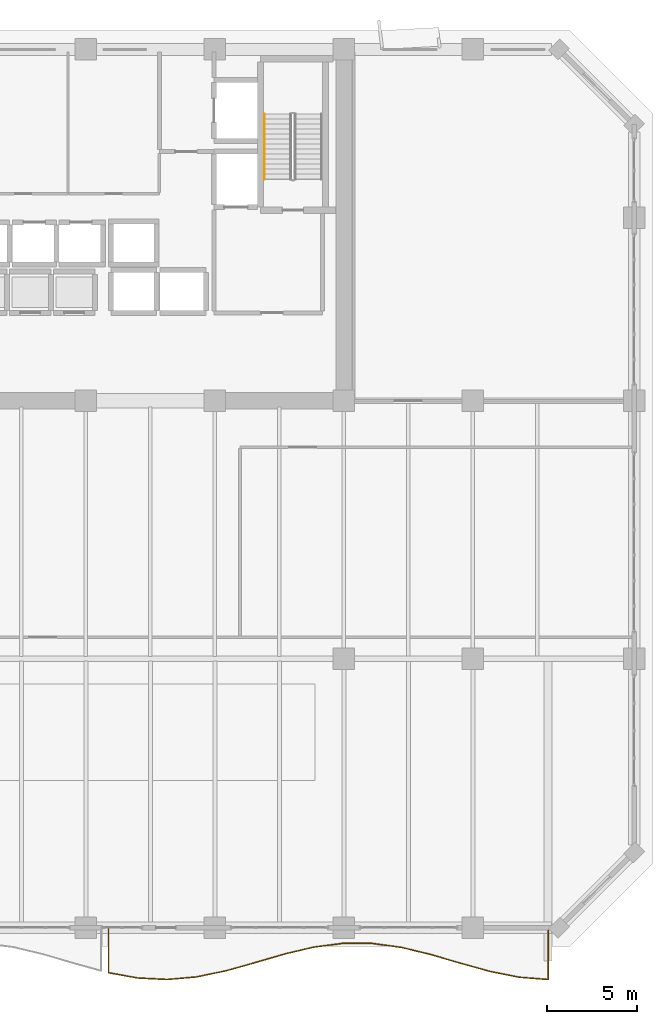
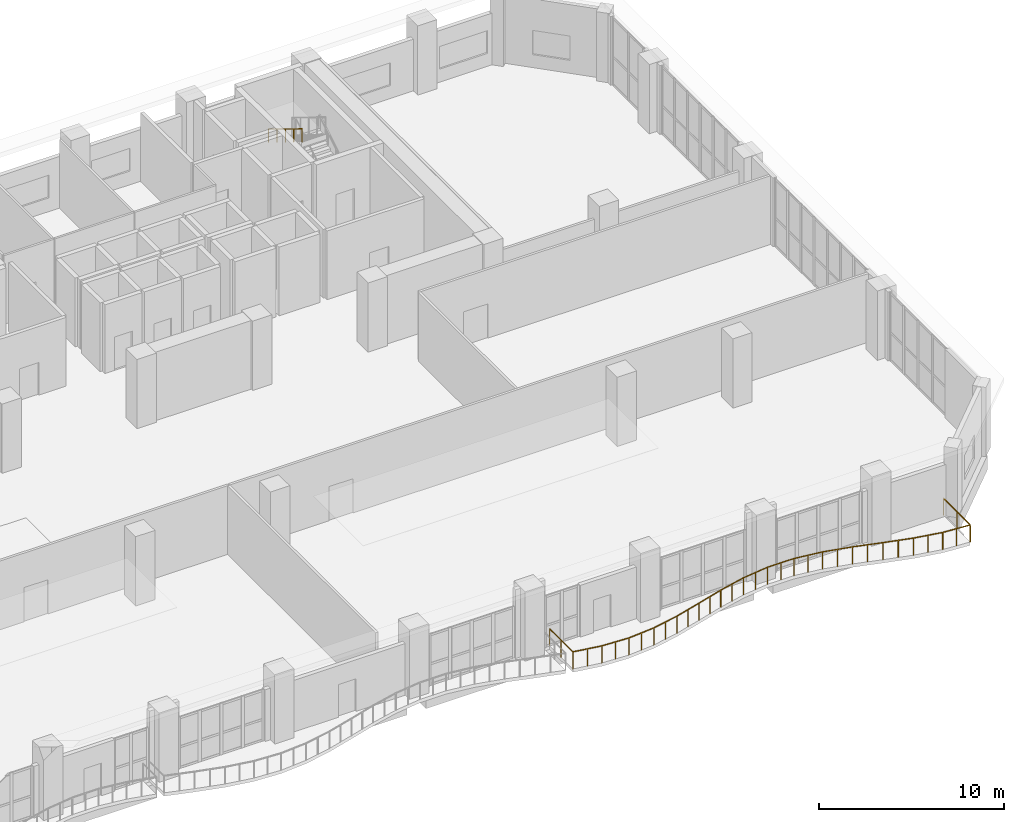
# One storey, part 35 of 37: 2 railings.
"""IFC4 building model written with IfcOpenShell, lengths in metres."""

from ifc_helpers import new_model, si_unit, direction, frame, origin, origin_2d, place, context, subcontext, project, spatial, rectangle, extrude, material, type_object, element, save


model = new_model("IFC4")

# Units and contexts
model_context = context("Model", 3, precision=1e-05, world=origin(), true_north=direction((0.0, 1.0)))
body_context = subcontext(model_context, "Body", "Model", "MODEL_VIEW")
ifc_project = project(units=[si_unit("LENGTHUNIT", "METRE"), si_unit("AREAUNIT", "SQUARE_METRE"), si_unit("VOLUMEUNIT", "CUBIC_METRE"), si_unit("PLANEANGLEUNIT", "RADIAN"), si_unit("MASSUNIT", "GRAM", prefix="KILO")], contexts=[model_context])

# Site, building, storey
site_placement = place(None, origin())
site = spatial("IfcSite", under=ifc_project, at=site_placement, CompositionType="ELEMENT")
building_placement = place(site_placement, origin())
building = spatial("IfcBuilding", under=site, at=building_placement, Name="Kaelvorn Grand Hotel", CompositionType="ELEMENT")
storey_placement = place(building_placement, frame((0.0, 0.0, 130.550048828125)))
storey = spatial("IfcBuildingStorey", under=building, at=storey_placement, Name="L31", CompositionType="ELEMENT", Elevation=130.550048828125)

# Railings
ifc_material = material(Name="Stainless Steel", Category="steel")
railing_type_1 = type_object("IfcRailingType", Name="RL-BALC-1150", PredefinedType="BALUSTRADE", material=ifc_material)
railing_1_placement = place(storey_placement, frame((54.666748046875, 0.0, 0.0)))
element("IfcRailing", 1, at=railing_1_placement, inside=storey, type_object=railing_type_1, Name="L31 Scalloped Wave Balcony Balustrade GR1-3", PredefinedType="BALUSTRADE", context=body_context, shape_type="SweptSolid", body=[
    extrude(rectangle(XDim=0.048095703125, YDim=0.048095703125, at=origin_2d()), frame((0.0, 0.0, 1.1259765625), z_axis=(0.0, -1.0, 0.0), x_axis=(1.0, 0.0, 0.0)), (0.0, 0.0, 1.0), 2.521484375),
    extrude(rectangle(XDim=0.048095703125, YDim=0.048095703125, at=origin_2d()), frame((0.0, -2.521484375, 1.1259765625), z_axis=(0.984383042767, -0.176039839563, 0.0), x_axis=(0.176039839563, 0.984383042767, 0.0)), (0.0, 0.0, 1.0), 1.661376953125),
    extrude(rectangle(XDim=0.048095703125, YDim=0.048095703125, at=origin_2d()), frame((1.635498046875, -2.81396484375, 1.1259765625), z_axis=(0.998684141863, -0.05128337734, 0.0), x_axis=(0.05128337734, 0.998684141863, 0.0)), (0.0, 0.0, 1.0), 1.6376953125),
    extrude(rectangle(XDim=0.048095703125, YDim=0.048095703125, at=origin_2d()), frame((3.27099609375, -2.89794921875, 1.1259765625), z_axis=(0.996182895251, 0.087290544785, 0.0), x_axis=(-0.087290544785, 0.996182895251, 0.0)), (0.0, 0.0, 1.0), 1.641845703125),
    extrude(rectangle(XDim=0.048095703125, YDim=0.048095703125, at=origin_2d()), frame((4.906494140625, -2.754638671875, 1.1259765625), z_axis=(0.97923741506, 0.202716760401, 0.0), x_axis=(-0.202716760401, 0.97923741506, 0.0)), (0.0, 0.0, 1.0), 1.67041015625),
    extrude(rectangle(XDim=0.048095703125, YDim=0.048095703125, at=origin_2d()), frame((6.542236328125, -2.416015625, 1.1259765625), z_axis=(0.962804134231, 0.270200294425, 0.0), x_axis=(-0.270200294425, 0.962804134231, 0.0)), (0.0, 0.0, 1.0), 1.69873046875),
    extrude(rectangle(XDim=0.048095703125, YDim=0.048095703125, at=origin_2d()), frame((8.177734375, -1.95703125, 1.1259765625), z_axis=(0.959995184835, 0.280016508608, 0.0), x_axis=(-0.280016508608, 0.959995184835, 0.0)), (0.0, 0.0, 1.0), 1.70361328125),
    extrude(rectangle(XDim=0.048095703125, YDim=0.048095703125, at=origin_2d()), frame((9.813232421875, -1.47998046875, 1.1259765625), z_axis=(0.972806214685, 0.231620527306, 0.0), x_axis=(-0.231620527306, 0.972806214685, 0.0)), (0.0, 0.0, 1.0), 1.68115234375),
    extrude(rectangle(XDim=0.048095703125, YDim=0.048095703125, at=origin_2d()), frame((11.44873046875, -1.090576171875, 1.1259765625), z_axis=(0.99146537283, 0.130370297532, 0.0), x_axis=(-0.130370297532, 0.99146537283, 0.0)), (0.0, 0.0, 1.0), 1.64990234375),
    extrude(rectangle(XDim=0.048095703125, YDim=0.048095703125, at=origin_2d()), frame((13.08447265625, -0.87548828125, 1.1259765625), z_axis=(0.99999126505, -0.004179691808, 0.0), x_axis=(0.004179691808, 0.99999126505, 0.0)), (0.0, 0.0, 1.0), 1.635498046875),
    extrude(rectangle(XDim=0.048095703125, YDim=0.048095703125, at=origin_2d()), frame((14.719970703125, -0.88232421875, 1.1259765625), z_axis=(0.990480517275, -0.137652987249, 0.0), x_axis=(0.137652987249, 0.990480517275, 0.0)), (0.0, 0.0, 1.0), 1.651123046875),
    extrude(rectangle(XDim=0.048095703125, YDim=0.048095703125, at=origin_2d()), frame((16.35546875, -1.109619140625, 1.1259765625), z_axis=(0.971717100289, -0.2361479981, 0.0), x_axis=(0.2361479981, 0.971717100289, 0.0)), (0.0, 0.0, 1.0), 1.68310546875),
    extrude(rectangle(XDim=0.048095703125, YDim=0.048095703125, at=origin_2d()), frame((17.990966796875, -1.507080078125, 1.1259765625), z_axis=(0.959686524808, -0.28107254242, 0.0), x_axis=(0.28107254242, 0.959686524808, 0.0)), (0.0, 0.0, 1.0), 1.7041015625),
    extrude(rectangle(XDim=0.048095703125, YDim=0.048095703125, at=origin_2d()), frame((19.62646484375, -1.986083984375, 1.1259765625), z_axis=(0.963522030125, -0.267629029562, 0.0), x_axis=(0.267629029562, 0.963522030125, 0.0)), (0.0, 0.0, 1.0), 1.69775390625),
    extrude(rectangle(XDim=0.048095703125, YDim=0.048095703125, at=origin_2d()), frame((21.26220703125, -2.4404296875, 1.1259765625), z_axis=(0.980377518175, -0.197129200923, 0.0), x_axis=(0.197129200923, 0.980377518175, 0.0)), (0.0, 0.0, 1.0), 1.668212890625),
    extrude(rectangle(XDim=0.048095703125, YDim=0.048095703125, at=origin_2d()), frame((22.897705078125, -2.769287109375, 1.1259765625), z_axis=(0.996849725002, -0.079313465208, 0.0), x_axis=(0.079313465208, 0.996849725002, 0.0)), (0.0, 0.0, 1.0), 1.640625),
    extrude(rectangle(XDim=0.048095703125, YDim=0.048095703125, at=origin_2d()), frame((24.533203125, -2.8994140625, 1.1259765625), z_axis=(0.0, 1.0, 0.0), x_axis=(-1.0, 0.0, 0.0)), (0.0, 0.0, 1.0), 2.8994140625),
    extrude(rectangle(XDim=0.0419921875, YDim=0.0419921875, at=origin_2d()), origin(), (0.0, 0.0, 1.0), 1.101806640625),
    extrude(rectangle(XDim=0.0419921875, YDim=0.0419921875, at=origin_2d()), frame((0.0, -1.2607421875, 0.0)), (0.0, 0.0, 1.0), 1.101806640625),
    extrude(rectangle(XDim=0.0419921875, YDim=0.0419921875, at=origin_2d()), frame((0.0, -2.521484375, 0.0)), (0.0, 0.0, 1.0), 1.101806640625),
    extrude(rectangle(XDim=0.0419921875, YDim=0.0419921875, at=origin_2d()), frame((0.81787109375, -2.667724609375, 0.0)), (0.0, 0.0, 1.0), 1.101806640625),
    extrude(rectangle(XDim=0.0419921875, YDim=0.0419921875, at=origin_2d()), frame((1.635498046875, -2.81396484375, 0.0)), (0.0, 0.0, 1.0), 1.101806640625),
    extrude(rectangle(XDim=0.0419921875, YDim=0.0419921875, at=origin_2d()), frame((2.453125, -2.85595703125, 0.0)), (0.0, 0.0, 1.0), 1.101806640625),
    extrude(rectangle(XDim=0.0419921875, YDim=0.0419921875, at=origin_2d()), frame((3.27099609375, -2.89794921875, 0.0)), (0.0, 0.0, 1.0), 1.101806640625),
    extrude(rectangle(XDim=0.0419921875, YDim=0.0419921875, at=origin_2d()), frame((4.0888671875, -2.826171875, 0.0)), (0.0, 0.0, 1.0), 1.101806640625),
    extrude(rectangle(XDim=0.0419921875, YDim=0.0419921875, at=origin_2d()), frame((4.906494140625, -2.754638671875, 0.0)), (0.0, 0.0, 1.0), 1.101806640625),
    extrude(rectangle(XDim=0.0419921875, YDim=0.0419921875, at=origin_2d()), frame((5.724365234375, -2.58544921875, 0.0)), (0.0, 0.0, 1.0), 1.101806640625),
    extrude(rectangle(XDim=0.0419921875, YDim=0.0419921875, at=origin_2d()), frame((6.542236328125, -2.416015625, 0.0)), (0.0, 0.0, 1.0), 1.101806640625),
    extrude(rectangle(XDim=0.0419921875, YDim=0.0419921875, at=origin_2d()), frame((7.35986328125, -2.1865234375, 0.0)), (0.0, 0.0, 1.0), 1.101806640625),
    extrude(rectangle(XDim=0.0419921875, YDim=0.0419921875, at=origin_2d()), frame((8.177734375, -1.95703125, 0.0)), (0.0, 0.0, 1.0), 1.101806640625),
    extrude(rectangle(XDim=0.0419921875, YDim=0.0419921875, at=origin_2d()), frame((8.99560546875, -1.718505859375, 0.0)), (0.0, 0.0, 1.0), 1.101806640625),
    extrude(rectangle(XDim=0.0419921875, YDim=0.0419921875, at=origin_2d()), frame((9.813232421875, -1.47998046875, 0.0)), (0.0, 0.0, 1.0), 1.101806640625),
    extrude(rectangle(XDim=0.0419921875, YDim=0.0419921875, at=origin_2d()), frame((10.630859375, -1.28515625, 0.0)), (0.0, 0.0, 1.0), 1.101806640625),
    extrude(rectangle(XDim=0.0419921875, YDim=0.0419921875, at=origin_2d()), frame((11.44873046875, -1.090576171875, 0.0)), (0.0, 0.0, 1.0), 1.101806640625),
    extrude(rectangle(XDim=0.0419921875, YDim=0.0419921875, at=origin_2d()), frame((12.2666015625, -0.98291015625, 0.0)), (0.0, 0.0, 1.0), 1.101806640625),
    extrude(rectangle(XDim=0.0419921875, YDim=0.0419921875, at=origin_2d()), frame((13.08447265625, -0.87548828125, 0.0)), (0.0, 0.0, 1.0), 1.101806640625),
    extrude(rectangle(XDim=0.0419921875, YDim=0.0419921875, at=origin_2d()), frame((13.90234375, -0.87890625, 0.0)), (0.0, 0.0, 1.0), 1.101806640625),
    extrude(rectangle(XDim=0.0419921875, YDim=0.0419921875, at=origin_2d()), frame((14.719970703125, -0.88232421875, 0.0)), (0.0, 0.0, 1.0), 1.101806640625),
    extrude(rectangle(XDim=0.0419921875, YDim=0.0419921875, at=origin_2d()), frame((15.53759765625, -0.99609375, 0.0)), (0.0, 0.0, 1.0), 1.101806640625),
    extrude(rectangle(XDim=0.0419921875, YDim=0.0419921875, at=origin_2d()), frame((16.35546875, -1.109619140625, 0.0)), (0.0, 0.0, 1.0), 1.101806640625),
    extrude(rectangle(XDim=0.0419921875, YDim=0.0419921875, at=origin_2d()), frame((17.17333984375, -1.308349609375, 0.0)), (0.0, 0.0, 1.0), 1.101806640625),
    extrude(rectangle(XDim=0.0419921875, YDim=0.0419921875, at=origin_2d()), frame((17.990966796875, -1.507080078125, 0.0)), (0.0, 0.0, 1.0), 1.101806640625),
    extrude(rectangle(XDim=0.0419921875, YDim=0.0419921875, at=origin_2d()), frame((18.80859375, -1.74658203125, 0.0)), (0.0, 0.0, 1.0), 1.101806640625),
    extrude(rectangle(XDim=0.0419921875, YDim=0.0419921875, at=origin_2d()), frame((19.62646484375, -1.986083984375, 0.0)), (0.0, 0.0, 1.0), 1.101806640625),
    extrude(rectangle(XDim=0.0419921875, YDim=0.0419921875, at=origin_2d()), frame((20.4443359375, -2.21337890625, 0.0)), (0.0, 0.0, 1.0), 1.101806640625),
    extrude(rectangle(XDim=0.0419921875, YDim=0.0419921875, at=origin_2d()), frame((21.26220703125, -2.4404296875, 0.0)), (0.0, 0.0, 1.0), 1.101806640625),
    extrude(rectangle(XDim=0.0419921875, YDim=0.0419921875, at=origin_2d()), frame((22.080078125, -2.60498046875, 0.0)), (0.0, 0.0, 1.0), 1.101806640625),
    extrude(rectangle(XDim=0.0419921875, YDim=0.0419921875, at=origin_2d()), frame((22.897705078125, -2.769287109375, 0.0)), (0.0, 0.0, 1.0), 1.101806640625),
    extrude(rectangle(XDim=0.0419921875, YDim=0.0419921875, at=origin_2d()), frame((23.71533203125, -2.83447265625, 0.0)), (0.0, 0.0, 1.0), 1.101806640625),
    extrude(rectangle(XDim=0.0419921875, YDim=0.0419921875, at=origin_2d()), frame((24.533203125, -2.8994140625, 0.0)), (0.0, 0.0, 1.0), 1.101806640625),
    extrude(rectangle(XDim=0.0419921875, YDim=0.0419921875, at=origin_2d()), frame((24.533203125, -1.44970703125, 0.0)), (0.0, 0.0, 1.0), 1.101806640625),
    extrude(rectangle(XDim=0.0419921875, YDim=0.0419921875, at=origin_2d()), frame((24.533203125, 0.0, 0.0)), (0.0, 0.0, 1.0), 1.101806640625),
])
railing_type_2 = type_object("IfcRailingType", Name="RL-HANDRAIL-900", PredefinedType="HANDRAIL", material=ifc_material)
railing_2_placement = place(storey_placement, frame((63.3701171875, 45.39990234375, 2.5712890625)))
element("IfcRailing", 2, at=railing_2_placement, inside=storey, type_object=railing_type_2, Name="L31 ST3 stair handrail 2", PredefinedType="HANDRAIL", context=body_context, shape_type="SweptSolid", body=[
    extrude(rectangle(XDim=0.048095703125, YDim=0.048095703125, at=origin_2d()), frame((0.0, 0.0, 0.8759765625), z_axis=(0.0, -0.852824790078, 0.522197163366), x_axis=(1.0, 0.0, 0.0)), (0.0, 0.0, 1.0), 4.26806640625),
    extrude(rectangle(XDim=0.0419921875, YDim=0.0419921875, at=origin_2d()), origin(), (0.0, 0.0, 1.0), 0.851806640625),
    extrude(rectangle(XDim=0.0419921875, YDim=0.0419921875, at=origin_2d()), frame((0.0, -0.909912109375, 0.55712890625)), (0.0, 0.0, 1.0), 0.851806640625),
    extrude(rectangle(XDim=0.0419921875, YDim=0.0419921875, at=origin_2d()), frame((0.0, -1.81982421875, 1.1142578125)), (0.0, 0.0, 1.0), 0.851806640625),
    extrude(rectangle(XDim=0.0419921875, YDim=0.0419921875, at=origin_2d()), frame((0.0, -2.72998046875, 1.671630859375)), (0.0, 0.0, 1.0), 0.851806640625),
    extrude(rectangle(XDim=0.0419921875, YDim=0.0419921875, at=origin_2d()), frame((0.0, -3.639892578125, 2.228759765625)), (0.0, 0.0, 1.0), 0.851806640625),
])

save(model, "model.ifc")
